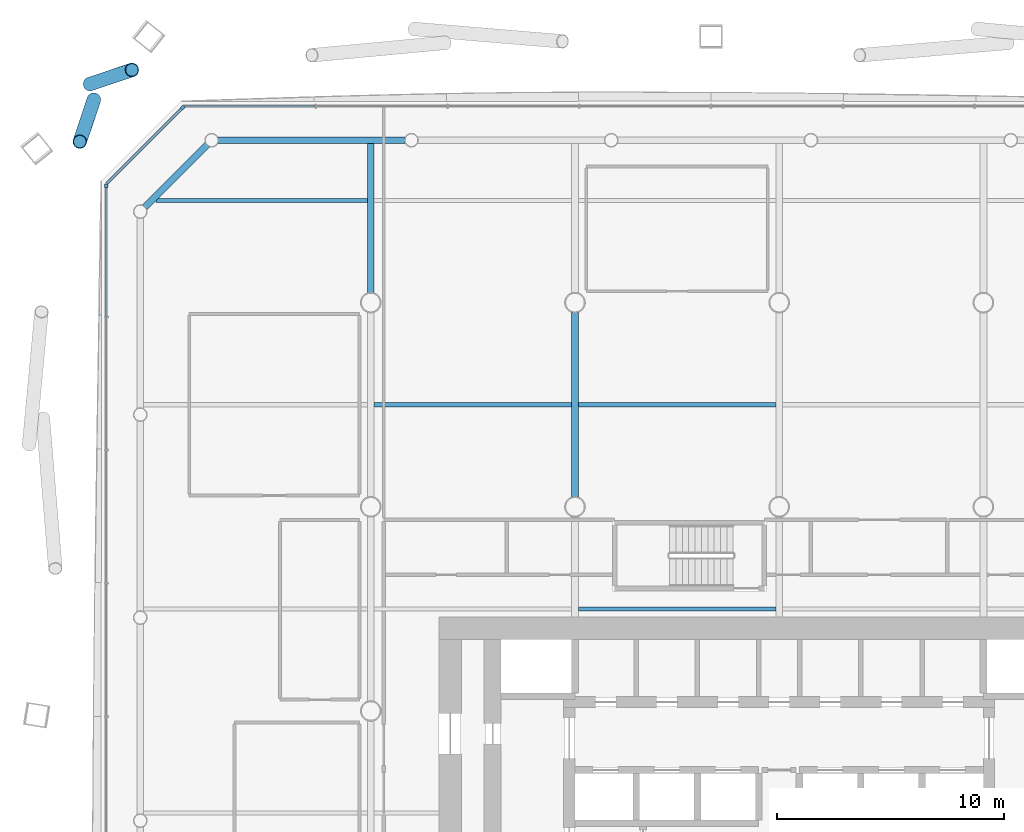
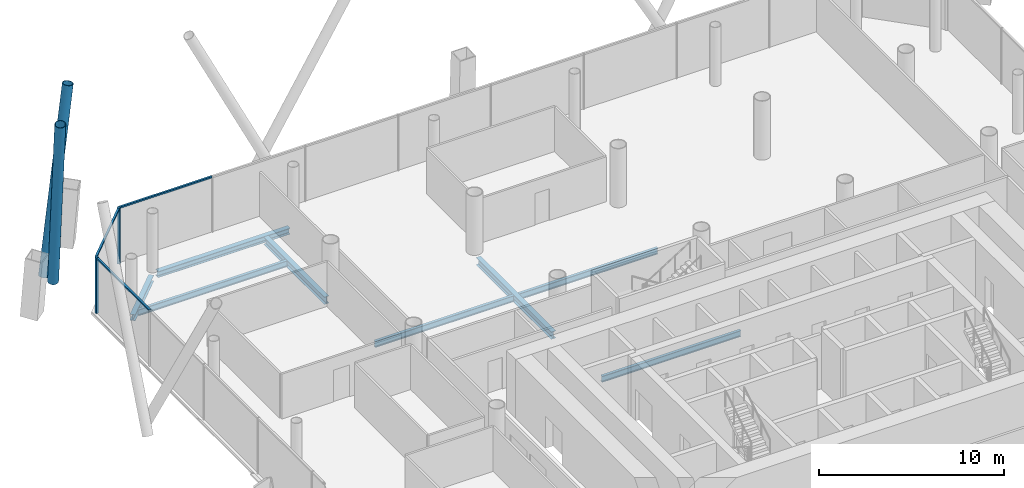
# One storey, part 11 of 25: 8 beams, 7 members, 3 elements without a shape of their own.
"""IFC4 building model written with IfcOpenShell, lengths in metres."""

from ifc_helpers import new_model, si_unit, direction, frame, origin, origin_2d, place, context, subcontext, project, spatial, rectangle, hollow_circle, i_section, extrude, material, material_profile, profile_set, type_object, element, aggregate, save


model = new_model("IFC4")

# Units and contexts
model_context = context("Model", 3, precision=1e-05, world=origin(), true_north=direction((0.0, 1.0)))
body_context = subcontext(model_context, "Body", "Model", "MODEL_VIEW")
ifc_project = project(units=[si_unit("LENGTHUNIT", "METRE"), si_unit("AREAUNIT", "SQUARE_METRE"), si_unit("VOLUMEUNIT", "CUBIC_METRE"), si_unit("PLANEANGLEUNIT", "RADIAN"), si_unit("MASSUNIT", "GRAM", prefix="KILO")], contexts=[model_context])

# Site, building, storey
site_placement = place(None, origin())
site = spatial("IfcSite", under=ifc_project, at=site_placement, CompositionType="ELEMENT")
building_placement = place(site_placement, origin())
building = spatial("IfcBuilding", under=site, at=building_placement, Name="Tskaro Facet Tower", CompositionType="ELEMENT")
storey_placement = place(building_placement, frame((0.0, 0.0, 34.199951171875)))
storey = spatial("IfcBuildingStorey", under=building, at=storey_placement, Name="L07", CompositionType="ELEMENT", Elevation=34.199951171875)

# Members
ifc_material_1 = material(Name="Steel S355J2H", Category="steel")
ifc_material_profile_1 = material_profile(ifc_material_1, hollow_circle(Radius=0.304931640625, WallThickness=0.030029296875, at=origin_2d()), Name="CHS 610x30")
ifc_profile_set_1 = profile_set([ifc_material_profile_1], Name="Steel S355J2H")
member_type_1 = type_object("IfcMemberType", Name="CHS 610x30 brace", PredefinedType="BRACE", material=ifc_profile_set_1)
for number, where, z_axis, x_axis, name in (
    (1, (-30.204345703125, 26.94091796875, 0.0), (-0.052220226105, -0.155713839372, 0.986420928516), (0.948105213392, -0.317956764888, 0.0), "CHS 610x30 XB09A/1"),
    (2, (-30.3720703125, 27.6357421875, 0.0), (0.155693754903, 0.052220393468, 0.986424089928), (-0.317994550017, 0.948092540926, 0.0), "CHS 610x30 XB09B/1"),
):
    element("IfcMember", number, at=place(storey_placement, frame(where, z_axis=z_axis, x_axis=x_axis)), inside=storey, type_object=member_type_1, Name=name, PredefinedType="BRACE", context=body_context, shape_type="SweptSolid", body=[
        extrude(hollow_circle(Radius=0.304931640625, WallThickness=0.030029296875, at=origin_2d()), origin(), (0.0, 0.0, 1.0), 11.861083984375),
    ])

# Curtain wall, member
ifc_material_2 = material(Name="Bronze anodised aluminium 6063-T6", Category="aluminium")
curtain_wall_type = type_object("IfcCurtainWallType", Name="Bronze office curtain wall (FW1)", PredefinedType="NOTDEFINED", material=ifc_material_2)
curtain_wall_1_placement = place(storey_placement, origin())
curtain_wall_1 = element("IfcCurtainWall", 3, at=curtain_wall_1_placement, inside=storey, type_object=curtain_wall_type, Name="FW1 north-west facet L07", PredefinedType="NOTDEFINED")
ifc_material_profile_2 = material_profile(ifc_material_2, rectangle(XDim=0.159912109375, YDim=0.159912109375, at=origin_2d()), Name="Corner post 160x160")
ifc_profile_set_2 = profile_set([ifc_material_profile_2], Name="Bronze anodised aluminium 6063-T6")
member_type_2 = type_object("IfcMemberType", Name="FW1 bronze corner post 160x160", PredefinedType="MULLION", material=ifc_profile_set_2)
member_1_placement = place(storey_placement, frame((-26.29150390625, 26.597412109375, 0.0), z_axis=(0.0, 0.0, 1.0), x_axis=(-0.707106781187, -0.707106781187, 0.0)))
member_1 = element("IfcMember", 4, at=member_1_placement, type_object=member_type_2, Name="FW1 north-west corner post", PredefinedType="MULLION", context=body_context, shape_type="SweptSolid", body=[
    extrude(rectangle(XDim=0.159912109375, YDim=0.159912109375, at=origin_2d()), origin(), (0.0, 0.0, 1.0), 3.699951171875),
])

curtain_wall_2_placement = place(storey_placement, origin())
curtain_wall_2 = element("IfcCurtainWall", 5, at=curtain_wall_2_placement, inside=storey, type_object=curtain_wall_type, Name="FW1 west facet L07", PredefinedType="NOTDEFINED")
member_2_placement = place(storey_placement, frame((-29.654052734375, 23.155029296875, 0.0), z_axis=(0.0, 0.0, 1.0), x_axis=(0.0, -1.0, 0.0)))
member_2 = element("IfcMember", 6, at=member_2_placement, type_object=member_type_2, Name="FW1 west corner post", PredefinedType="MULLION", context=body_context, shape_type="SweptSolid", body=[
    extrude(rectangle(XDim=0.159912109375, YDim=0.159912109375, at=origin_2d()), origin(), (0.0, 0.0, 1.0), 3.699951171875),
])

curtain_wall_3_placement = place(storey_placement, origin())
curtain_wall_3 = element("IfcCurtainWall", 7, at=curtain_wall_3_placement, inside=storey, type_object=curtain_wall_type, Name="FW1 north facet L07", PredefinedType="NOTDEFINED")
ifc_material_profile_3 = material_profile(ifc_material_2, rectangle(XDim=0.1201171875, YDim=0.10009765625, at=origin_2d()), Name="Transom 120x100")
ifc_profile_set_3 = profile_set([ifc_material_profile_3], Name="Bronze anodised aluminium 6063-T6")
member_type_3 = type_object("IfcMemberType", Name="FW1 bronze transom 120x100", PredefinedType="USERDEFINED", material=ifc_profile_set_3)
member_3_placement = place(storey_placement, frame((-20.456298828125, 26.654052734375, 3.650146484375), z_axis=(-1.0, 0.0, 0.0), x_axis=(0.0, -1.0, 0.0)))
member_3 = element("IfcMember", 8, at=member_3_placement, type_object=member_type_3, Name="FW1 north transom 8.1", ObjectType="TRANSOM", PredefinedType="USERDEFINED", context=body_context, shape_type="SweptSolid", body=[
    extrude(rectangle(XDim=0.1201171875, YDim=0.10009765625, at=origin_2d()), origin(), (0.0, 0.0, 1.0), 5.77880859375),
])
aggregate(curtain_wall_3, [member_3])

# Member
member_4_placement = place(storey_placement, frame((-26.34814453125, 26.540771484375, 3.650146484375), z_axis=(-0.707132891512, -0.707080669897, 0.0), x_axis=(0.707080669897, -0.707132891512, 0.0)))
member_4 = element("IfcMember", 9, at=member_4_placement, type_object=member_type_3, Name="FW1 north-west transom 1.1", ObjectType="TRANSOM", PredefinedType="USERDEFINED", context=body_context, shape_type="SweptSolid", body=[
    extrude(rectangle(XDim=0.1201171875, YDim=0.10009765625, at=origin_2d()), origin(), (0.0, 0.0, 1.0), 4.675048828125),
])

aggregate(curtain_wall_1, [member_1, member_4])

member_5_placement = place(storey_placement, frame((-29.654052734375, 23.074951171875, 3.650146484375), z_axis=(0.0, -1.0, 0.0), x_axis=(1.0, 0.0, 0.0)))
member_5 = element("IfcMember", 10, at=member_5_placement, type_object=member_type_3, Name="FW1 west transom 1.1", ObjectType="TRANSOM", PredefinedType="USERDEFINED", context=body_context, shape_type="SweptSolid", body=[
    extrude(rectangle(XDim=0.1201171875, YDim=0.10009765625, at=origin_2d()), origin(), (0.0, 0.0, 1.0), 5.678466796875),
])

aggregate(curtain_wall_2, [member_2, member_5])

# Beams
ifc_material_3 = material(Name="Steel S355J2", Category="steel")
ifc_material_profile_4 = material_profile(ifc_material_3, i_section(OverallWidth=0.300048828125, OverallDepth=0.39990234375, WebThickness=0.013427734375, FlangeThickness=0.02392578125, FilletRadius=0.027099609375, at=origin_2d()), Name="HE 400 B")
ifc_profile_set_4 = profile_set([ifc_material_profile_4], Name="Steel S355J2")
beam_type_1 = type_object("IfcBeamType", Name="HE 400 B ring beam", PredefinedType="BEAM", material=ifc_profile_set_4)
beam_1_placement = place(storey_placement, frame((-16.48193359375, 25.156982421875, -0.33984375), z_axis=(-1.0, 0.0, 0.0), x_axis=(0.0, -1.0, 0.0)))
element("IfcBeam", 11, at=beam_1_placement, inside=storey, type_object=beam_type_1, Name="HE 400 B EB18-1", PredefinedType="BEAM", context=body_context, shape_type="SweptSolid", body=[
    extrude(i_section(OverallWidth=0.300048828125, OverallDepth=0.39990234375, WebThickness=0.013427734375, FlangeThickness=0.02392578125, FilletRadius=0.027099609375, at=origin_2d()), origin(), (0.0, 0.0, 1.0), 8.255126953125),
])
beam_2_placement = place(storey_placement, frame((-25.20654296875, 24.962646484375, -0.33984375), z_axis=(-0.707106781187, -0.707106781187, 0.0), x_axis=(0.707106781187, -0.707106781187, 0.0)))
element("IfcBeam", 12, at=beam_2_placement, inside=storey, type_object=beam_type_1, Name="HE 400 B EB19-1", PredefinedType="BEAM", context=body_context, shape_type="SweptSolid", body=[
    extrude(i_section(OverallWidth=0.300048828125, OverallDepth=0.39990234375, WebThickness=0.013427734375, FlangeThickness=0.02392578125, FilletRadius=0.027099609375, at=origin_2d()), origin(), (0.0, 0.0, 1.0), 3.897705078125),
])
ifc_material_profile_5 = material_profile(ifc_material_3, i_section(OverallWidth=0.300048828125, OverallDepth=0.489990234375, WebThickness=0.011962890625, FlangeThickness=0.02294921875, FilletRadius=0.027099609375, at=origin_2d()), Name="HE 500 A")
ifc_profile_set_5 = profile_set([ifc_material_profile_5], Name="Steel S355J2")
beam_type_2 = type_object("IfcBeamType", Name="HE 500 A girder", PredefinedType="BEAM", material=ifc_profile_set_5)
beam_3_placement = place(storey_placement, frame((-18.0, 18.42724609375, -0.385009765625), z_axis=(0.0, 1.0, 0.0), x_axis=(-1.0, 0.0, 0.0)))
element("IfcBeam", 13, at=beam_3_placement, inside=storey, type_object=beam_type_2, Name="HE 500 A GB2-6-1", PredefinedType="BEAM", context=body_context, shape_type="SweptSolid", body=[
    extrude(i_section(OverallWidth=0.300048828125, OverallDepth=0.489990234375, WebThickness=0.011962890625, FlangeThickness=0.02294921875, FilletRadius=0.027099609375, at=origin_2d()), origin(), (0.0, 0.0, 1.0), 6.579833984375),
])
beam_4_placement = place(storey_placement, frame((-9.0, 9.42724609375, -0.385009765625), z_axis=(0.0, 1.0, 0.0), x_axis=(-1.0, 0.0, 0.0)))
element("IfcBeam", 14, at=beam_4_placement, inside=storey, type_object=beam_type_2, Name="HE 500 A GB3-4-1", PredefinedType="BEAM", context=body_context, shape_type="SweptSolid", body=[
    extrude(i_section(OverallWidth=0.300048828125, OverallDepth=0.489990234375, WebThickness=0.011962890625, FlangeThickness=0.02294921875, FilletRadius=0.027099609375, at=origin_2d()), origin(), (0.0, 0.0, 1.0), 8.1455078125),
])
ifc_material_profile_6 = material_profile(ifc_material_3, i_section(OverallWidth=0.179931640625, OverallDepth=0.39990234375, WebThickness=0.008544921875, FlangeThickness=0.013427734375, FilletRadius=0.02099609375, at=origin_2d()), Name="IPE 400")
ifc_profile_set_6 = profile_set([ifc_material_profile_6], Name="Steel S355J2")
beam_type_3 = type_object("IfcBeamType", Name="IPE 400 secondary beam", PredefinedType="BEAM", material=ifc_profile_set_6)
for number, where, z_axis, x_axis, name in (
    (15, (-8.85009765625, 4.5, -0.33984375), (1.0, 0.0, 0.0), (0.0, 1.0, 0.0), "IPE 400 SB4a-3-1"),
    (16, (-17.85009765625, 13.5, -0.33984375), (1.0, 0.0, 0.0), (0.0, 1.0, 0.0), "IPE 400 SB5a-2-1"),
    (17, (-8.85009765625, 13.5, -0.33984375), (1.0, 0.0, 0.0), (0.0, 1.0, 0.0), "IPE 400 SB5a-3-1"),
):
    element("IfcBeam", number, at=place(storey_placement, frame(where, z_axis=z_axis, x_axis=x_axis)), inside=storey, type_object=beam_type_3, Name=name, PredefinedType="BEAM", context=body_context, shape_type="SweptSolid", body=[
        extrude(i_section(OverallWidth=0.179931640625, OverallDepth=0.39990234375, WebThickness=0.008544921875, FlangeThickness=0.013427734375, FilletRadius=0.02099609375, at=origin_2d()), origin(), (0.0, 0.0, 1.0), 8.7001953125),
    ])
beam_5_placement = place(storey_placement, frame((-27.45703125, 22.5, -0.33984375), z_axis=(1.0, 0.0, 0.0), x_axis=(0.0, 1.0, 0.0)))
element("IfcBeam", 18, at=beam_5_placement, inside=storey, type_object=beam_type_3, Name="IPE 400 SB6a-1-1", PredefinedType="BEAM", context=body_context, shape_type="SweptSolid", body=[
    extrude(i_section(OverallWidth=0.179931640625, OverallDepth=0.39990234375, WebThickness=0.008544921875, FlangeThickness=0.013427734375, FilletRadius=0.02099609375, at=origin_2d()), origin(), (0.0, 0.0, 1.0), 9.30712890625),
])

save(model, "model.ifc")
